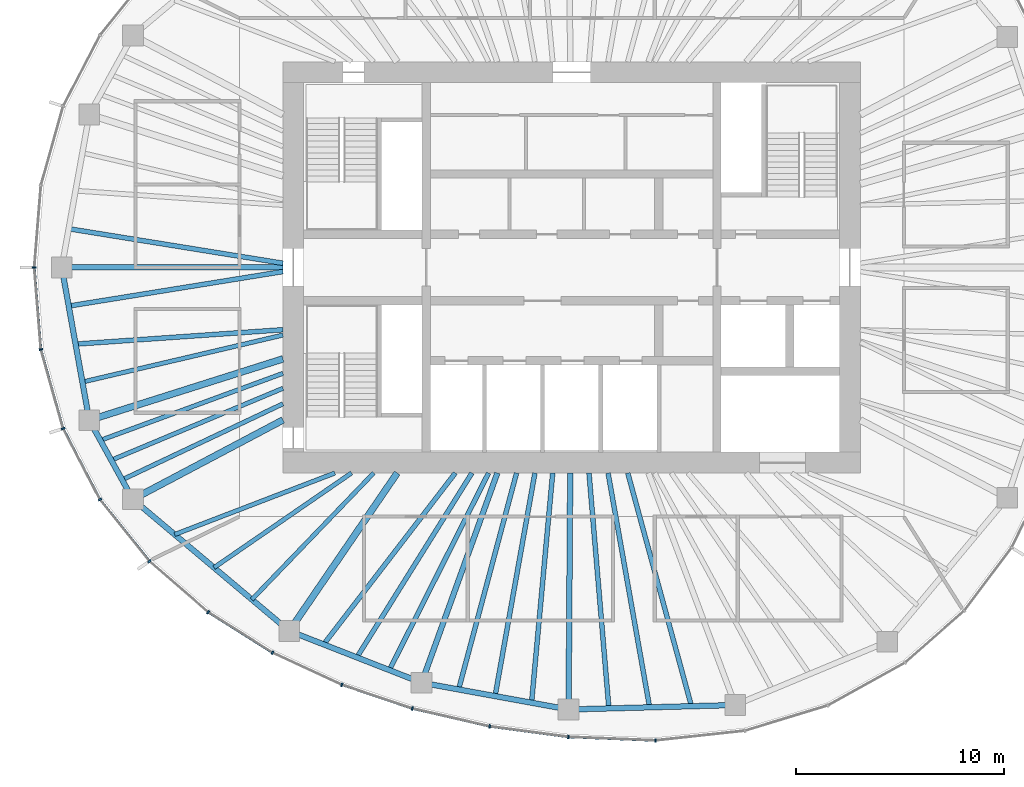
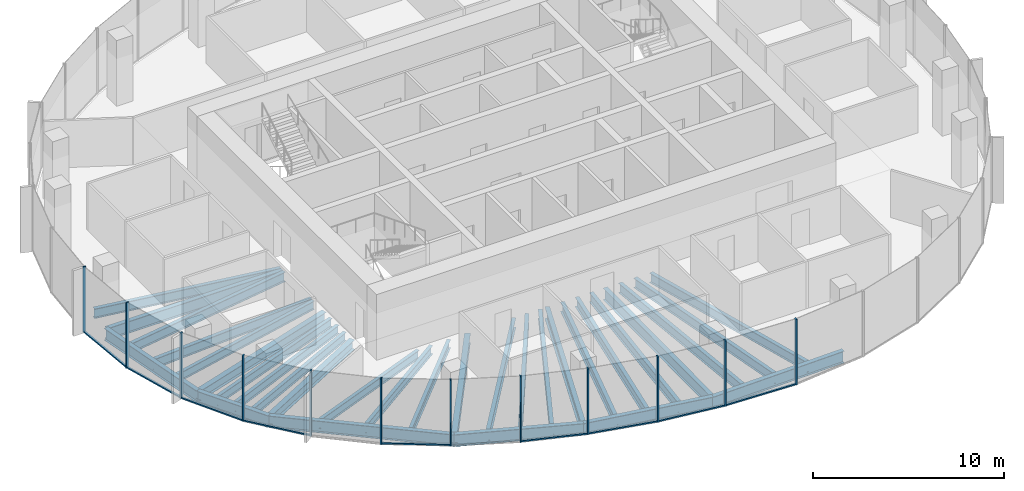
# One storey, part 2 of 11: 31 beams, 21 members, 6 elements without a shape of their own.
"""IFC4 building model written with IfcOpenShell, lengths in metres."""

from ifc_helpers import new_model, si_unit, direction, frame, origin, origin_2d, place, context, subcontext, project, spatial, rectangle, i_section, extrude, material, material_profile, profile_set, type_object, element, aggregate, save


model = new_model("IFC4")

# Units and contexts
model_context = context("Model", 3, precision=1e-05, world=origin(), true_north=direction((0.0, 1.0)))
body_context = subcontext(model_context, "Body", "Model", "MODEL_VIEW")
ifc_project = project(units=[si_unit("LENGTHUNIT", "METRE"), si_unit("AREAUNIT", "SQUARE_METRE"), si_unit("VOLUMEUNIT", "CUBIC_METRE"), si_unit("PLANEANGLEUNIT", "RADIAN"), si_unit("MASSUNIT", "GRAM", prefix="KILO")], contexts=[model_context])

# Site, building, storey
site_placement = place(None, origin())
site = spatial("IfcSite", under=ifc_project, at=site_placement, CompositionType="ELEMENT")
building_placement = place(site_placement, origin())
building = spatial("IfcBuilding", under=site, at=building_placement, Name="Ghaith Harvest Tower", CompositionType="ELEMENT")
storey_placement = place(building_placement, frame((0.0, 0.0, 321.60009765625)))
storey = spatial("IfcBuildingStorey", under=building, at=storey_placement, Name="L72", CompositionType="ELEMENT", Elevation=321.60009765625)

# Curtain wall, members
ifc_material_1 = material(Name="Black anodised aluminium and fritted glass", Category="aluminium")
curtain_wall_type = type_object("IfcCurtainWallType", Name="CW-T CURTAIN WALL", PredefinedType="NOTDEFINED", material=ifc_material_1)
curtain_wall_1_placement = place(storey_placement, origin())
curtain_wall_1 = element("IfcCurtainWall", 1, at=curtain_wall_1_placement, inside=storey, type_object=curtain_wall_type, Name="Curtain wall CW-T bay 11 L72", PredefinedType="NOTDEFINED")
ifc_material_2 = material(Name="Aluminium, black anodised", Category="aluminium")
ifc_material_profile_1 = material_profile(ifc_material_2, rectangle(XDim=0.080078125, YDim=0.179931640625, at=origin_2d()), Name="CW-T MULLION 80x180")
ifc_profile_set_1 = profile_set([ifc_material_profile_1], Name="Aluminium, black anodised")
member_type_1 = type_object("IfcMemberType", Name="CW-T MULLION 80x180", PredefinedType="MULLION", material=ifc_profile_set_1)
member_1_placement = place(storey_placement, frame((-25.8701171875, 0.0, 0.0), z_axis=(0.0, 0.0, 1.0), x_axis=(-1.05e-10, -1.0, 0.0)))
member_1 = element("IfcMember", 2, at=member_1_placement, type_object=member_type_1, Name="CW-T mullion 1 bay 11 L72", PredefinedType="MULLION", context=body_context, shape_type="SweptSolid", body=[
    extrude(rectangle(XDim=0.080078125, YDim=0.179931640625, at=origin_2d()), origin(), (0.0, 0.0, 1.0), 4.199951171875),
])
member_2_placement = place(storey_placement, frame((-25.5517578125, -3.9521484375, 0.0), z_axis=(0.0, 0.0, 1.0), x_axis=(0.176001391003, -0.98438991785, 0.0)))
member_2 = element("IfcMember", 3, at=member_2_placement, type_object=member_type_1, Name="CW-T mullion 2 bay 11 L72", PredefinedType="MULLION", context=body_context, shape_type="SweptSolid", body=[
    extrude(rectangle(XDim=0.080078125, YDim=0.179931640625, at=origin_2d()), origin(), (0.0, 0.0, 1.0), 4.199951171875),
])

curtain_wall_2_placement = place(storey_placement, origin())
curtain_wall_2 = element("IfcCurtainWall", 4, at=curtain_wall_2_placement, inside=storey, type_object=curtain_wall_type, Name="Curtain wall CW-T bay 12 L72", PredefinedType="NOTDEFINED")
member_3_placement = place(storey_placement, frame((-24.482666015625, -7.759033203125, 0.0), z_axis=(0.0, 0.0, 1.0), x_axis=(0.366473104734, -0.930428645038, 0.0)))
member_3 = element("IfcMember", 5, at=member_3_placement, type_object=member_type_1, Name="CW-T mullion 1 bay 12 L72", PredefinedType="MULLION", context=body_context, shape_type="SweptSolid", body=[
    extrude(rectangle(XDim=0.080078125, YDim=0.179931640625, at=origin_2d()), origin(), (0.0, 0.0, 1.0), 4.199951171875),
])
member_4_placement = place(storey_placement, frame((-22.706298828125, -11.176513671875, 0.0), z_axis=(0.0, 0.0, 1.0), x_axis=(0.545865412431, -0.837872873121, 0.0)))
member_4 = element("IfcMember", 6, at=member_4_placement, type_object=member_type_1, Name="CW-T mullion 2 bay 12 L72", PredefinedType="MULLION", context=body_context, shape_type="SweptSolid", body=[
    extrude(rectangle(XDim=0.080078125, YDim=0.179931640625, at=origin_2d()), origin(), (0.0, 0.0, 1.0), 4.199951171875),
])

curtain_wall_3_placement = place(storey_placement, origin())
curtain_wall_3 = element("IfcCurtainWall", 7, at=curtain_wall_3_placement, inside=storey, type_object=curtain_wall_type, Name="Curtain wall CW-T bay 13 L72", PredefinedType="NOTDEFINED")
member_5_placement = place(storey_placement, frame((-20.324462890625, -14.141845703125, 0.0), z_axis=(0.0, 0.0, 1.0), x_axis=(0.692826491831, -0.721104328248, 0.0)))
member_5 = element("IfcMember", 8, at=member_5_placement, type_object=member_type_1, Name="CW-T mullion 1 bay 13 L72", PredefinedType="MULLION", context=body_context, shape_type="SweptSolid", body=[
    extrude(rectangle(XDim=0.080078125, YDim=0.179931640625, at=origin_2d()), origin(), (0.0, 0.0, 1.0), 4.199951171875),
])
member_6_placement = place(storey_placement, frame((-17.49462890625, -16.600830078125, 0.0), z_axis=(0.0, 0.0, 1.0), x_axis=(0.802189888845, -0.59706899286, 0.0)))
member_6 = element("IfcMember", 9, at=member_6_placement, type_object=member_type_1, Name="CW-T mullion 2 bay 13 L72", PredefinedType="MULLION", context=body_context, shape_type="SweptSolid", body=[
    extrude(rectangle(XDim=0.080078125, YDim=0.179931640625, at=origin_2d()), origin(), (0.0, 0.0, 1.0), 4.199951171875),
])

curtain_wall_4_placement = place(storey_placement, origin())
curtain_wall_4 = element("IfcCurtainWall", 10, at=curtain_wall_4_placement, inside=storey, type_object=curtain_wall_type, Name="Curtain wall CW-T bay 14 L72", PredefinedType="NOTDEFINED")
member_7_placement = place(storey_placement, frame((-14.40478515625, -18.5478515625, 0.0), z_axis=(0.0, 0.0, 1.0), x_axis=(0.878671732732, -0.477426419564, 0.0)))
member_7 = element("IfcMember", 11, at=member_7_placement, type_object=member_type_1, Name="CW-T mullion 1 bay 14 L72", PredefinedType="MULLION", context=body_context, shape_type="SweptSolid", body=[
    extrude(rectangle(XDim=0.080078125, YDim=0.179931640625, at=origin_2d()), origin(), (0.0, 0.0, 1.0), 4.199951171875),
])
member_8_placement = place(storey_placement, frame((-11.0673828125, -20.093017578125, 0.0), z_axis=(0.0, 0.0, 1.0), x_axis=(0.92862442092, -0.371021138038, 0.0)))
member_8 = element("IfcMember", 12, at=member_8_placement, type_object=member_type_1, Name="CW-T mullion 2 bay 14 L72", PredefinedType="MULLION", context=body_context, shape_type="SweptSolid", body=[
    extrude(rectangle(XDim=0.080078125, YDim=0.179931640625, at=origin_2d()), origin(), (0.0, 0.0, 1.0), 4.199951171875),
])

curtain_wall_5_placement = place(storey_placement, origin())
curtain_wall_5 = element("IfcCurtainWall", 13, at=curtain_wall_5_placement, inside=storey, type_object=curtain_wall_type, Name="Curtain wall CW-T bay 15 L72", PredefinedType="NOTDEFINED")
member_9_placement = place(storey_placement, frame((-7.6708984375, -21.23828125, 0.0), z_axis=(0.0, 0.0, 1.0), x_axis=(0.962552491659, -0.271095372151, 0.0)))
member_9 = element("IfcMember", 14, at=member_9_placement, type_object=member_type_1, Name="CW-T mullion 1 bay 15 L72", PredefinedType="MULLION", context=body_context, shape_type="SweptSolid", body=[
    extrude(rectangle(XDim=0.080078125, YDim=0.179931640625, at=origin_2d()), origin(), (0.0, 0.0, 1.0), 4.199951171875),
])
member_10_placement = place(storey_placement, frame((-3.946533203125, -22.0986328125, 0.0), z_axis=(0.0, 0.0, 1.0), x_axis=(0.983843447712, -0.179030920217, 0.0)))
member_10 = element("IfcMember", 15, at=member_10_placement, type_object=member_type_1, Name="CW-T mullion 2 bay 15 L72", PredefinedType="MULLION", context=body_context, shape_type="SweptSolid", body=[
    extrude(rectangle(XDim=0.080078125, YDim=0.179931640625, at=origin_2d()), origin(), (0.0, 0.0, 1.0), 4.199951171875),
])

curtain_wall_6_placement = place(storey_placement, origin())
curtain_wall_6 = element("IfcCurtainWall", 16, at=curtain_wall_6_placement, inside=storey, type_object=curtain_wall_type, Name="Curtain wall CW-T bay 16 L72", PredefinedType="NOTDEFINED")
member_11_placement = place(storey_placement, frame((-0.15478515625, -22.60595703125, 0.0), z_axis=(0.0, 0.0, 1.0), x_axis=(0.996414855524, -0.084601629366, 0.0)))
member_11 = element("IfcMember", 17, at=member_11_placement, type_object=member_type_1, Name="CW-T mullion 1 bay 16 L72", PredefinedType="MULLION", context=body_context, shape_type="SweptSolid", body=[
    extrude(rectangle(XDim=0.080078125, YDim=0.179931640625, at=origin_2d()), origin(), (0.0, 0.0, 1.0), 4.199951171875),
])
member_12_placement = place(storey_placement, frame((4.037841796875, -22.776611328125, 0.0), z_axis=(0.0, 0.0, 1.0), x_axis=(0.999388631241, 0.034962318939, 0.0)))
member_12 = element("IfcMember", 18, at=member_12_placement, type_object=member_type_1, Name="CW-T mullion 2 bay 16 L72", PredefinedType="MULLION", context=body_context, shape_type="SweptSolid", body=[
    extrude(rectangle(XDim=0.080078125, YDim=0.179931640625, at=origin_2d()), origin(), (0.0, 0.0, 1.0), 4.199951171875),
])

# Member
ifc_material_3 = material(Name="Aluminium, black anodised", Category="aluminium")
ifc_material_profile_2 = material_profile(ifc_material_3, rectangle(XDim=0.1201171875, YDim=0.080078125, at=origin_2d()), Name="CW-T TRANSOM 120x80")
ifc_profile_set_2 = profile_set([ifc_material_profile_2], Name="Aluminium, black anodised")
member_type_2 = type_object("IfcMemberType", Name="CW-T TRANSOM 120x80", PredefinedType="USERDEFINED", material=ifc_profile_set_2)
member_13_placement = place(storey_placement, frame((-25.86669921875, -0.039794921875, 0.039794921875), z_axis=(0.08025226314, -0.996774585481, 0.0), x_axis=(0.996774585481, 0.08025226314, 0.0)))
member_13 = element("IfcMember", 19, at=member_13_placement, type_object=member_type_2, Name="CW-T transom 1 bay 11 L72", ObjectType="TRANSOM", PredefinedType="USERDEFINED", context=body_context, shape_type="SweptSolid", body=[
    extrude(rectangle(XDim=0.1201171875, YDim=0.080078125, at=origin_2d()), origin(), (0.0, 0.0, 1.0), 3.884765625),
])

member_14_placement = place(storey_placement, frame((-25.541015625, -3.990478515625, 0.039794921875), z_axis=(0.270340422972, -0.962764797709, 0.0), x_axis=(0.962764797709, 0.270340422972, 0.0)))
member_14 = element("IfcMember", 20, at=member_14_placement, type_object=member_type_2, Name="CW-T transom 2 bay 11 L72", ObjectType="TRANSOM", PredefinedType="USERDEFINED", context=body_context, shape_type="SweptSolid", body=[
    extrude(rectangle(XDim=0.1201171875, YDim=0.080078125, at=origin_2d()), origin(), (0.0, 0.0, 1.0), 3.874267578125),
])

aggregate(curtain_wall_1, [member_1, member_13, member_2, member_14])

member_15_placement = place(storey_placement, frame((-24.46435546875, -7.79443359375, 0.039794921875), z_axis=(0.461242681347, -0.887274021317, 0.0), x_axis=(0.887274021317, 0.461242681347, 0.0)))
member_15 = element("IfcMember", 21, at=member_15_placement, type_object=member_type_2, Name="CW-T transom 1 bay 12 L72", ObjectType="TRANSOM", PredefinedType="USERDEFINED", context=body_context, shape_type="SweptSolid", body=[
    extrude(rectangle(XDim=0.1201171875, YDim=0.080078125, at=origin_2d()), origin(), (0.0, 0.0, 1.0), 3.77197265625),
])

member_16_placement = place(storey_placement, frame((-22.68115234375, -11.207763671875, 0.039794921875), z_axis=(0.626253073761, -0.779619835307, 0.0), x_axis=(0.779619835307, 0.626253073761, 0.0)))
member_16 = element("IfcMember", 22, at=member_16_placement, type_object=member_type_2, Name="CW-T transom 2 bay 12 L72", ObjectType="TRANSOM", PredefinedType="USERDEFINED", context=body_context, shape_type="SweptSolid", body=[
    extrude(rectangle(XDim=0.1201171875, YDim=0.080078125, at=origin_2d()), origin(), (0.0, 0.0, 1.0), 3.723388671875),
])

aggregate(curtain_wall_2, [member_3, member_15, member_4, member_16])

member_17_placement = place(storey_placement, frame((-17.4609375, -16.6220703125, 0.039794921875), z_axis=(0.846053602505, -0.533097835006, 0.0), x_axis=(0.533097835006, 0.846053602505, 0.0)))
member_17 = element("IfcMember", 23, at=member_17_placement, type_object=member_type_2, Name="CW-T transom 2 bay 13 L72", ObjectType="TRANSOM", PredefinedType="USERDEFINED", context=body_context, shape_type="SweptSolid", body=[
    extrude(rectangle(XDim=0.1201171875, YDim=0.080078125, at=origin_2d()), origin(), (0.0, 0.0, 1.0), 3.572021484375),
])

aggregate(curtain_wall_3, [member_5, member_6, member_17])

member_18_placement = place(storey_placement, frame((-11.029541015625, -20.105712890625, 0.039794921875), z_axis=(0.9475698206, -0.319548799228, 0.0), x_axis=(0.319548799228, 0.9475698206, 0.0)))
member_18 = element("IfcMember", 24, at=member_18_placement, type_object=member_type_2, Name="CW-T transom 2 bay 14 L72", ObjectType="TRANSOM", PredefinedType="USERDEFINED", context=body_context, shape_type="SweptSolid", body=[
    extrude(rectangle(XDim=0.1201171875, YDim=0.080078125, at=origin_2d()), origin(), (0.0, 0.0, 1.0), 3.504638671875),
])

aggregate(curtain_wall_4, [member_7, member_8, member_18])

member_19_placement = place(storey_placement, frame((-7.6318359375, -21.247314453125, 0.039794921875), z_axis=(0.974344997799, -0.225059603803, 0.0), x_axis=(0.225059603803, 0.974344997799, 0.0)))
member_19 = element("IfcMember", 25, at=member_19_placement, type_object=member_type_2, Name="CW-T transom 1 bay 15 L72", ObjectType="TRANSOM", PredefinedType="USERDEFINED", context=body_context, shape_type="SweptSolid", body=[
    extrude(rectangle(XDim=0.1201171875, YDim=0.080078125, at=origin_2d()), origin(), (0.0, 0.0, 1.0), 3.742431640625),
])

member_20_placement = place(storey_placement, frame((-3.90673828125, -22.10400390625, 0.039794921875), z_axis=(0.99117202259, -0.132582131655, 0.0), x_axis=(0.132582131655, 0.99117202259, 0.0)))
member_20 = element("IfcMember", 26, at=member_20_placement, type_object=member_type_2, Name="CW-T transom 2 bay 15 L72", ObjectType="TRANSOM", PredefinedType="USERDEFINED", context=body_context, shape_type="SweptSolid", body=[
    extrude(rectangle(XDim=0.1201171875, YDim=0.080078125, at=origin_2d()), origin(), (0.0, 0.0, 1.0), 3.745361328125),
])

aggregate(curtain_wall_5, [member_9, member_19, member_10, member_20])

member_21_placement = place(storey_placement, frame((-0.11474609375, -22.607666015625, 0.039794921875), z_axis=(0.999174207562, -0.040631304968, 0.0), x_axis=(0.040631304968, 0.999174207562, 0.0)))
member_21 = element("IfcMember", 27, at=member_21_placement, type_object=member_type_2, Name="CW-T transom 1 bay 16 L72", ObjectType="TRANSOM", PredefinedType="USERDEFINED", context=body_context, shape_type="SweptSolid", body=[
    extrude(rectangle(XDim=0.1201171875, YDim=0.080078125, at=origin_2d()), origin(), (0.0, 0.0, 1.0), 4.115966796875),
])

aggregate(curtain_wall_6, [member_11, member_21, member_12])

# Beams
ifc_material_4 = material(Name="Steel ASTM A992 Grade 50", Category="steel")
ifc_material_profile_3 = material_profile(ifc_material_4, i_section(OverallWidth=0.26611328125, OverallDepth=0.758056640625, WebThickness=0.013916015625, FlangeThickness=0.019287109375, at=origin_2d()), Name="W760X161")
ifc_profile_set_3 = profile_set([ifc_material_profile_3], Name="Steel ASTM A992 Grade 50")
beam_type_1 = type_object("IfcBeamType", Name="E760-161 W760X161", PredefinedType="SPANDREL", material=ifc_profile_set_3)
beam_1_placement = place(storey_placement, frame((-24.550048828125, 0.0, -0.549072265625), z_axis=(0.177296554745, -0.984157473007, 0.0), x_axis=(0.984157473007, 0.177296554745, 0.0)))
element("IfcBeam", 28, at=beam_1_placement, inside=storey, type_object=beam_type_1, Name="Edge beam E11 L72", PredefinedType="SPANDREL", context=body_context, shape_type="SweptSolid", body=[
    extrude(i_section(OverallWidth=0.26611328125, OverallDepth=0.758056640625, WebThickness=0.013916015625, FlangeThickness=0.019287109375, at=origin_2d()), origin(), (0.0, 0.0, 1.0), 7.478515625),
])
beam_2_placement = place(storey_placement, frame((-23.22412109375, -7.360107421875, -0.549072265625), z_axis=(0.482955575345, -0.875644855089, 0.0), x_axis=(0.875644855089, 0.482955575345, 0.0)))
element("IfcBeam", 29, at=beam_2_placement, inside=storey, type_object=beam_type_1, Name="Edge beam E12 L72", PredefinedType="SPANDREL", context=body_context, shape_type="SweptSolid", body=[
    extrude(i_section(OverallWidth=0.26611328125, OverallDepth=0.758056640625, WebThickness=0.013916015625, FlangeThickness=0.019287109375, at=origin_2d()), origin(), (0.0, 0.0, 1.0), 4.346435546875),
])
beam_3_placement = place(storey_placement, frame((-21.125, -11.166015625, -0.549072265625), z_axis=(0.765021818761, -0.64400436087, 0.0), x_axis=(0.64400436087, 0.765021818761, 0.0)))
element("IfcBeam", 30, at=beam_3_placement, inside=storey, type_object=beam_type_1, Name="Edge beam E13 L72", PredefinedType="SPANDREL", context=body_context, shape_type="SweptSolid", body=[
    extrude(i_section(OverallWidth=0.26611328125, OverallDepth=0.758056640625, WebThickness=0.013916015625, FlangeThickness=0.019287109375, at=origin_2d()), origin(), (0.0, 0.0, 1.0), 9.8427734375),
])
beam_4_placement = place(storey_placement, frame((-13.594970703125, -17.5048828125, -0.549072265625), z_axis=(0.931322768207, -0.364194867371, 0.0), x_axis=(0.364194867371, 0.931322768207, 0.0)))
element("IfcBeam", 31, at=beam_4_placement, inside=storey, type_object=beam_type_1, Name="Edge beam E14 L72", PredefinedType="SPANDREL", context=body_context, shape_type="SweptSolid", body=[
    extrude(i_section(OverallWidth=0.26611328125, OverallDepth=0.758056640625, WebThickness=0.013916015625, FlangeThickness=0.019287109375, at=origin_2d()), origin(), (0.0, 0.0, 1.0), 6.843017578125),
])
beam_5_placement = place(storey_placement, frame((-7.221923828125, -19.9970703125, -0.549072265625), z_axis=(0.983813921429, -0.179193102551, 0.0), x_axis=(0.179193102551, 0.983813921429, 0.0)))
element("IfcBeam", 32, at=beam_5_placement, inside=storey, type_object=beam_type_1, Name="Edge beam E15 L72", PredefinedType="SPANDREL", context=body_context, shape_type="SweptSolid", body=[
    extrude(i_section(OverallWidth=0.26611328125, OverallDepth=0.758056640625, WebThickness=0.013916015625, FlangeThickness=0.019287109375, at=origin_2d()), origin(), (0.0, 0.0, 1.0), 7.1923828125),
])
beam_6_placement = place(storey_placement, frame((-0.14599609375, -21.285888671875, -0.549072265625), z_axis=(0.999644979696, 0.02664422206, 0.0), x_axis=(-0.02664422206, 0.999644979696, 0.0)))
element("IfcBeam", 33, at=beam_6_placement, inside=storey, type_object=beam_type_1, Name="Edge beam E16 L72", PredefinedType="SPANDREL", context=body_context, shape_type="SweptSolid", body=[
    extrude(i_section(OverallWidth=0.26611328125, OverallDepth=0.758056640625, WebThickness=0.013916015625, FlangeThickness=0.019287109375, at=origin_2d()), origin(), (0.0, 0.0, 1.0), 8.02685546875),
])
ifc_material_5 = material(Name="Steel ASTM A992 Grade 50", Category="steel")
ifc_material_profile_4 = material_profile(ifc_material_5, i_section(OverallWidth=0.323974609375, OverallDepth=0.611083984375, WebThickness=0.0126953125, FlangeThickness=0.01904296875, at=origin_2d()), Name="W610X155")
ifc_profile_set_4 = profile_set([ifc_material_profile_4], Name="Steel ASTM A992 Grade 50")
beam_type_2 = type_object("IfcBeamType", Name="G610-155 W610X155", PredefinedType="BEAM", material=ifc_profile_set_4)
beam_7_placement = place(storey_placement, frame((-13.89990234375, -4.4052734375, -0.4755859375), z_axis=(-0.953278508772, -0.302092841215, 0.0), x_axis=(0.302092841215, -0.953278508772, 0.0)))
element("IfcBeam", 34, at=beam_7_placement, inside=storey, type_object=beam_type_2, Name="Radial girder G12 L72", PredefinedType="BEAM", context=body_context, shape_type="SweptSolid", body=[
    extrude(i_section(OverallWidth=0.323974609375, OverallDepth=0.611083984375, WebThickness=0.0126953125, FlangeThickness=0.01904296875, at=origin_2d()), origin(), (0.0, 0.0, 1.0), 9.78125),
])
beam_8_placement = place(storey_placement, frame((-13.89990234375, -7.34716796875, -0.4755859375), z_axis=(-0.88410164037, -0.467294649546, 0.0), x_axis=(0.467294649546, -0.88410164037, 0.0)))
element("IfcBeam", 35, at=beam_8_placement, inside=storey, type_object=beam_type_2, Name="Radial girder G13 L72", PredefinedType="BEAM", context=body_context, shape_type="SweptSolid", body=[
    extrude(i_section(OverallWidth=0.323974609375, OverallDepth=0.611083984375, WebThickness=0.0126953125, FlangeThickness=0.01904296875, at=origin_2d()), origin(), (0.0, 0.0, 1.0), 8.17236328125),
])
beam_9_placement = place(storey_placement, frame((-8.39990234375, -9.89990234375, -0.4755859375), z_axis=(-0.564067018201, -0.825729010619, 0.0), x_axis=(0.825729010619, -0.564067018201, 0.0)))
element("IfcBeam", 36, at=beam_9_placement, inside=storey, type_object=beam_type_2, Name="Radial girder G14 L72", PredefinedType="BEAM", context=body_context, shape_type="SweptSolid", body=[
    extrude(i_section(OverallWidth=0.323974609375, OverallDepth=0.611083984375, WebThickness=0.0126953125, FlangeThickness=0.01904296875, at=origin_2d()), origin(), (0.0, 0.0, 1.0), 9.2099609375),
])
ifc_material_6 = material(Name="Steel ASTM A992 Grade 50", Category="steel")
ifc_material_profile_5 = material_profile(ifc_material_6, i_section(OverallWidth=0.26611328125, OverallDepth=0.758056640625, WebThickness=0.013916015625, FlangeThickness=0.019287109375, at=origin_2d()), Name="W760X161")
ifc_profile_set_5 = profile_set([ifc_material_profile_5], Name="Steel ASTM A992 Grade 50")
beam_type_3 = type_object("IfcBeamType", Name="G760-161 W760X161", PredefinedType="BEAM", material=ifc_profile_set_5)
beam_10_placement = place(storey_placement, frame((-13.89990234375, 0.0, -0.549072265625), z_axis=(-1.0, 0.0, 0.0), x_axis=(0.0, -1.0, 0.0)))
element("IfcBeam", 37, at=beam_10_placement, inside=storey, type_object=beam_type_3, Name="Radial girder G11 L72", PredefinedType="BEAM", context=body_context, shape_type="SweptSolid", body=[
    extrude(i_section(OverallWidth=0.26611328125, OverallDepth=0.758056640625, WebThickness=0.013916015625, FlangeThickness=0.019287109375, at=origin_2d()), origin(), (0.0, 0.0, 1.0), 10.650146484375),
])
beam_11_placement = place(storey_placement, frame((-3.57568359375, -9.89990234375, -0.549072265625), z_axis=(-0.339647816823, -0.940552688863, 0.0), x_axis=(0.940552688863, -0.339647816823, 0.0)))
element("IfcBeam", 38, at=beam_11_placement, inside=storey, type_object=beam_type_3, Name="Radial girder G15 L72", PredefinedType="BEAM", context=body_context, shape_type="SweptSolid", body=[
    extrude(i_section(OverallWidth=0.26611328125, OverallDepth=0.758056640625, WebThickness=0.013916015625, FlangeThickness=0.019287109375, at=origin_2d()), origin(), (0.0, 0.0, 1.0), 10.7353515625),
])
beam_12_placement = place(storey_placement, frame((-0.06787109375, -9.89990234375, -0.549072265625), z_axis=(-0.006861343299, -0.999976460707, 0.0), x_axis=(0.999976460707, -0.006861343299, 0.0)))
element("IfcBeam", 39, at=beam_12_placement, inside=storey, type_object=beam_type_3, Name="Radial girder G16 L72", PredefinedType="BEAM", context=body_context, shape_type="SweptSolid", body=[
    extrude(i_section(OverallWidth=0.26611328125, OverallDepth=0.758056640625, WebThickness=0.013916015625, FlangeThickness=0.019287109375, at=origin_2d()), origin(), (0.0, 0.0, 1.0), 11.38623046875),
])
ifc_material_7 = material(Name="Steel ASTM A992 Grade 50", Category="steel")
ifc_material_profile_6 = material_profile(ifc_material_7, i_section(OverallWidth=0.2109375, OverallDepth=0.5390625, WebThickness=0.01171875, FlangeThickness=0.018798828125, at=origin_2d()), Name="W530X109")
ifc_profile_set_6 = profile_set([ifc_material_profile_6], Name="Steel ASTM A992 Grade 50")
beam_type_4 = type_object("IfcBeamType", Name="J530-109 W530X109", PredefinedType="JOIST", material=ifc_profile_set_6)
beam_13_placement = place(storey_placement, frame((-13.89990234375, -3.257080078125, -0.439697265625), z_axis=(-0.973623403271, -0.228161058472, 0.0), x_axis=(0.228161058472, -0.973623403271, 0.0)))
element("IfcBeam", 40, at=beam_13_placement, inside=storey, type_object=beam_type_4, Name="Joist J11.3 L72", PredefinedType="JOIST", context=body_context, shape_type="SweptSolid", body=[
    extrude(i_section(OverallWidth=0.2109375, OverallDepth=0.5390625, WebThickness=0.01171875, FlangeThickness=0.018798828125, at=origin_2d()), origin(), (0.0, 0.0, 1.0), 9.9169921875),
])
beam_14_placement = place(storey_placement, frame((-13.89990234375, -5.101318359375, -0.439697265625), z_axis=(-0.938776837502, -0.34452583266, 0.0), x_axis=(0.34452583266, -0.938776837502, 0.0)))
element("IfcBeam", 41, at=beam_14_placement, inside=storey, type_object=beam_type_4, Name="Joist J12.1 L72", PredefinedType="JOIST", context=body_context, shape_type="SweptSolid", body=[
    extrude(i_section(OverallWidth=0.2109375, OverallDepth=0.5390625, WebThickness=0.01171875, FlangeThickness=0.018798828125, at=origin_2d()), origin(), (0.0, 0.0, 1.0), 9.36376953125),
])
beam_15_placement = place(storey_placement, frame((-13.89990234375, -5.82080078125, -0.439697265625), z_axis=(-0.922394258818, -0.38624970071, 0.0), x_axis=(0.38624970071, -0.922394258818, 0.0)))
element("IfcBeam", 42, at=beam_15_placement, inside=storey, type_object=beam_type_4, Name="Joist J12.2 L72", PredefinedType="JOIST", context=body_context, shape_type="SweptSolid", body=[
    extrude(i_section(OverallWidth=0.2109375, OverallDepth=0.5390625, WebThickness=0.01171875, FlangeThickness=0.018798828125, at=origin_2d()), origin(), (0.0, 0.0, 1.0), 8.959716796875),
])
beam_16_placement = place(storey_placement, frame((-13.89990234375, -6.56787109375, -0.439697265625), z_axis=(-0.904165769726, -0.427181765594, 0.0), x_axis=(0.427181765594, -0.904165769726, 0.0)))
element("IfcBeam", 43, at=beam_16_placement, inside=storey, type_object=beam_type_4, Name="Joist J12.3 L72", PredefinedType="JOIST", context=body_context, shape_type="SweptSolid", body=[
    extrude(i_section(OverallWidth=0.2109375, OverallDepth=0.5390625, WebThickness=0.01171875, FlangeThickness=0.018798828125, at=origin_2d()), origin(), (0.0, 0.0, 1.0), 8.564208984375),
])
beam_17_placement = place(storey_placement, frame((-11.39990234375, -9.89990234375, -0.439697265625), z_axis=(-0.933583045329, -0.358361127181, 0.0), x_axis=(0.358361127181, -0.933583045329, 0.0)))
element("IfcBeam", 44, at=beam_17_placement, inside=storey, type_object=beam_type_4, Name="Joist J13.1 L72", PredefinedType="JOIST", context=body_context, shape_type="SweptSolid", body=[
    extrude(i_section(OverallWidth=0.2109375, OverallDepth=0.5390625, WebThickness=0.01171875, FlangeThickness=0.018798828125, at=origin_2d()), origin(), (0.0, 0.0, 1.0), 8.260986328125),
])
beam_18_placement = place(storey_placement, frame((-10.60009765625, -9.89990234375, -0.439697265625), z_axis=(-0.823778502511, -0.566911791023, 0.0), x_axis=(0.566911791023, -0.823778502511, 0.0)))
element("IfcBeam", 45, at=beam_18_placement, inside=storey, type_object=beam_type_4, Name="Joist J13.2 L72", PredefinedType="JOIST", context=body_context, shape_type="SweptSolid", body=[
    extrude(i_section(OverallWidth=0.2109375, OverallDepth=0.5390625, WebThickness=0.01171875, FlangeThickness=0.018798828125, at=origin_2d()), origin(), (0.0, 0.0, 1.0), 8.0341796875),
])
beam_19_placement = place(storey_placement, frame((-9.530517578125, -9.89990234375, -0.439697265625), z_axis=(-0.693536238632, -0.720421741554, 0.0), x_axis=(0.720421741554, -0.693536238632, 0.0)))
element("IfcBeam", 46, at=beam_19_placement, inside=storey, type_object=beam_type_4, Name="Joist J13.3 L72", PredefinedType="JOIST", context=body_context, shape_type="SweptSolid", body=[
    extrude(i_section(OverallWidth=0.2109375, OverallDepth=0.5390625, WebThickness=0.01171875, FlangeThickness=0.018798828125, at=origin_2d()), origin(), (0.0, 0.0, 1.0), 8.4541015625),
])
ifc_material_8 = material(Name="Steel ASTM A992 Grade 50", Category="steel")
ifc_material_profile_7 = material_profile(ifc_material_8, i_section(OverallWidth=0.22998046875, OverallDepth=0.616943359375, WebThickness=0.01318359375, FlangeThickness=0.022216796875, at=origin_2d()), Name="W610X140")
ifc_profile_set_7 = profile_set([ifc_material_profile_7], Name="Steel ASTM A992 Grade 50")
beam_type_5 = type_object("IfcBeamType", Name="J610-140 W610X140", PredefinedType="JOIST", material=ifc_profile_set_7)
for number, where, z_axis, x_axis, name in (
    (47, (-13.89990234375, 0.199951171875, -0.478515625), (-0.987271793524, 0.159042150743, 0.0), (-0.159042150743, -0.987271793524, 0.0), "Joist J10.3 L72"),
    (48, (-13.89990234375, -0.199951171875, -0.478515625), (-0.987271793524, -0.159042150743, 0.0), (0.159042150743, -0.987271793524, 0.0), "Joist J11.1 L72"),
):
    element("IfcBeam", number, at=place(storey_placement, frame(where, z_axis=z_axis, x_axis=x_axis)), inside=storey, type_object=beam_type_5, Name=name, PredefinedType="JOIST", context=body_context, shape_type="SweptSolid", body=[
        extrude(i_section(OverallWidth=0.22998046875, OverallDepth=0.616943359375, WebThickness=0.01318359375, FlangeThickness=0.022216796875, at=origin_2d()), origin(), (0.0, 0.0, 1.0), 10.44775390625),
    ])
beam_20_placement = place(storey_placement, frame((-13.89990234375, -3.0, -0.478515625), z_axis=(-0.997592478057, -0.069348739886, 0.0), x_axis=(0.069348739886, -0.997592478057, 0.0)))
element("IfcBeam", 49, at=beam_20_placement, inside=storey, type_object=beam_type_5, Name="Joist J11.2 L72", PredefinedType="JOIST", context=body_context, shape_type="SweptSolid", body=[
    extrude(i_section(OverallWidth=0.22998046875, OverallDepth=0.616943359375, WebThickness=0.01318359375, FlangeThickness=0.022216796875, at=origin_2d()), origin(), (0.0, 0.0, 1.0), 10.0087890625),
])
beam_21_placement = place(storey_placement, frame((-5.60009765625, -9.89990234375, -0.478515625), z_axis=(-0.609353577926, -0.792898617144, 0.0), x_axis=(0.792898617144, -0.609353577926, 0.0)))
element("IfcBeam", 50, at=beam_21_placement, inside=storey, type_object=beam_type_5, Name="Joist J14.1 L72", PredefinedType="JOIST", context=body_context, shape_type="SweptSolid", body=[
    extrude(i_section(OverallWidth=0.22998046875, OverallDepth=0.616943359375, WebThickness=0.01318359375, FlangeThickness=0.022216796875, at=origin_2d()), origin(), (0.0, 0.0, 1.0), 10.406982421875),
])
beam_22_placement = place(storey_placement, frame((-4.800048828125, -9.89990234375, -0.478515625), z_axis=(-0.529596254905, -0.848249849273, 0.0), x_axis=(0.848249849273, -0.529596254905, 0.0)))
element("IfcBeam", 51, at=beam_22_placement, inside=storey, type_object=beam_type_5, Name="Joist J14.2 L72", PredefinedType="JOIST", context=body_context, shape_type="SweptSolid", body=[
    extrude(i_section(OverallWidth=0.22998046875, OverallDepth=0.616943359375, WebThickness=0.01318359375, FlangeThickness=0.022216796875, at=origin_2d()), origin(), (0.0, 0.0, 1.0), 10.465087890625),
])
beam_23_placement = place(storey_placement, frame((-4.0, -9.89990234375, -0.478515625), z_axis=(-0.449556131123, -0.893252083664, 0.0), x_axis=(0.893252083664, -0.449556131123, 0.0)))
element("IfcBeam", 52, at=beam_23_placement, inside=storey, type_object=beam_type_5, Name="Joist J14.3 L72", PredefinedType="JOIST", context=body_context, shape_type="SweptSolid", body=[
    extrude(i_section(OverallWidth=0.22998046875, OverallDepth=0.616943359375, WebThickness=0.01318359375, FlangeThickness=0.022216796875, at=origin_2d()), origin(), (0.0, 0.0, 1.0), 10.62353515625),
])
beam_24_placement = place(storey_placement, frame((-2.651123046875, -9.89990234375, -0.478515625), z_axis=(-0.258678019609, -0.965963602923, 0.0), x_axis=(0.965963602923, -0.258678019609, 0.0)))
element("IfcBeam", 53, at=beam_24_placement, inside=storey, type_object=beam_type_5, Name="Joist J15.1 L72", PredefinedType="JOIST", context=body_context, shape_type="SweptSolid", body=[
    extrude(i_section(OverallWidth=0.22998046875, OverallDepth=0.616943359375, WebThickness=0.01318359375, FlangeThickness=0.022216796875, at=origin_2d()), origin(), (0.0, 0.0, 1.0), 10.78857421875),
])
beam_25_placement = place(storey_placement, frame((-1.76806640625, -9.89990234375, -0.478515625), z_axis=(-0.175803029262, -0.984425362789, 0.0), x_axis=(0.984425362789, -0.175803029262, 0.0)))
element("IfcBeam", 54, at=beam_25_placement, inside=storey, type_object=beam_type_5, Name="Joist J15.2 L72", PredefinedType="JOIST", context=body_context, shape_type="SweptSolid", body=[
    extrude(i_section(OverallWidth=0.22998046875, OverallDepth=0.616943359375, WebThickness=0.01318359375, FlangeThickness=0.022216796875, at=origin_2d()), origin(), (0.0, 0.0, 1.0), 10.9111328125),
])
beam_26_placement = place(storey_placement, frame((-0.9111328125, -9.89990234375, -0.478515625), z_axis=(-0.091651380942, -0.995791154998, 0.0), x_axis=(0.995791154998, -0.091651380942, 0.0)))
element("IfcBeam", 55, at=beam_26_placement, inside=storey, type_object=beam_type_5, Name="Joist J15.3 L72", PredefinedType="JOIST", context=body_context, shape_type="SweptSolid", body=[
    extrude(i_section(OverallWidth=0.22998046875, OverallDepth=0.616943359375, WebThickness=0.01318359375, FlangeThickness=0.022216796875, at=origin_2d()), origin(), (0.0, 0.0, 1.0), 11.10791015625),
])
beam_27_placement = place(storey_placement, frame((0.836669921875, -9.89990234375, -0.478515625), z_axis=(0.084201795166, -0.996448723061, 0.0), x_axis=(0.996448723061, 0.084201795166, 0.0)))
element("IfcBeam", 56, at=beam_27_placement, inside=storey, type_object=beam_type_5, Name="Joist J16.1 L72", PredefinedType="JOIST", context=body_context, shape_type="SweptSolid", body=[
    extrude(i_section(OverallWidth=0.22998046875, OverallDepth=0.616943359375, WebThickness=0.01318359375, FlangeThickness=0.022216796875, at=origin_2d()), origin(), (0.0, 0.0, 1.0), 11.37451171875),
])
beam_28_placement = place(storey_placement, frame((1.7548828125, -9.89990234375, -0.478515625), z_axis=(0.174572943493, -0.98464424408, 0.0), x_axis=(0.98464424408, 0.174572943493, 0.0)))
element("IfcBeam", 57, at=beam_28_placement, inside=storey, type_object=beam_type_5, Name="Joist J16.2 L72", PredefinedType="JOIST", context=body_context, shape_type="SweptSolid", body=[
    extrude(i_section(OverallWidth=0.22998046875, OverallDepth=0.616943359375, WebThickness=0.01318359375, FlangeThickness=0.022216796875, at=origin_2d()), origin(), (0.0, 0.0, 1.0), 11.4580078125),
])
beam_29_placement = place(storey_placement, frame((2.70361328125, -9.89990234375, -0.478515625), z_axis=(0.263468802698, -0.964667916956, 0.0), x_axis=(0.964667916956, 0.263468802698, 0.0)))
element("IfcBeam", 58, at=beam_29_placement, inside=storey, type_object=beam_type_5, Name="Joist J16.3 L72", PredefinedType="JOIST", context=body_context, shape_type="SweptSolid", body=[
    extrude(i_section(OverallWidth=0.22998046875, OverallDepth=0.616943359375, WebThickness=0.01318359375, FlangeThickness=0.022216796875, at=origin_2d()), origin(), (0.0, 0.0, 1.0), 11.639404296875),
])

save(model, "model.ifc")
